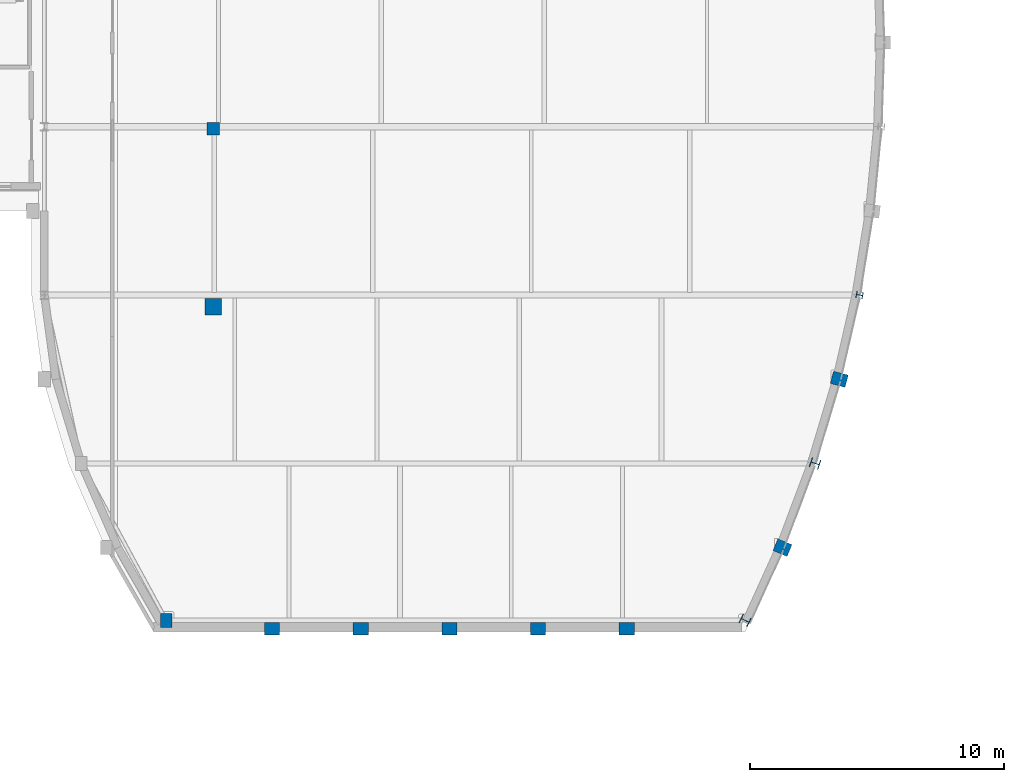
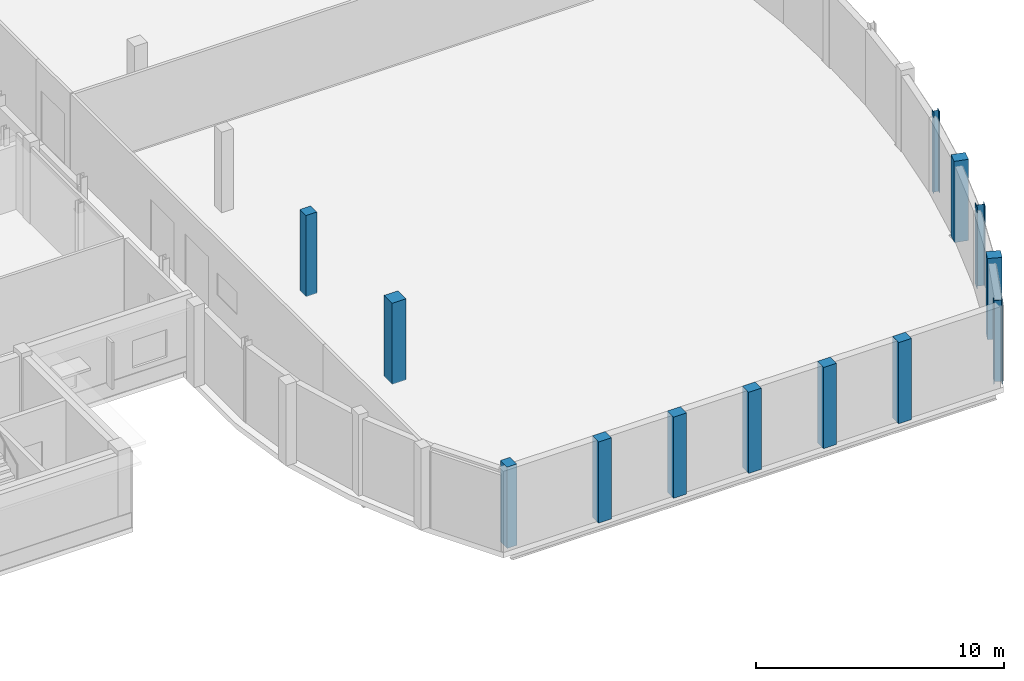
# One storey, part 13 of 105: 13 columns.
"""IFC4 building model written with IfcOpenShell, lengths in metres."""

from ifc_helpers import new_model, si_unit, direction, frame, origin, origin_2d, place, context, subcontext, project, spatial, rectangle, i_section, extrude, material, material_profile, profile_set, type_object, element, save


model = new_model("IFC4")

# Units and contexts
model_context = context("Model", 3, precision=1e-05, world=origin(), true_north=direction((0.0, 1.0)))
body_context = subcontext(model_context, "Body", "Model", "MODEL_VIEW")
ifc_project = project(units=[si_unit("LENGTHUNIT", "METRE"), si_unit("AREAUNIT", "SQUARE_METRE"), si_unit("VOLUMEUNIT", "CUBIC_METRE"), si_unit("PLANEANGLEUNIT", "RADIAN"), si_unit("MASSUNIT", "GRAM", prefix="KILO")], contexts=[model_context])

# Site, building, storey
site_placement = place(None, origin())
site = spatial("IfcSite", under=ifc_project, at=site_placement, CompositionType="ELEMENT")
building_placement = place(site_placement, origin())
building = spatial("IfcBuilding", under=site, at=building_placement, Name="Kelanivale Promenade Academy", CompositionType="ELEMENT")
storey_placement = place(building_placement, frame((0.0, 0.0, 4.199951171875)))
storey = spatial("IfcBuildingStorey", under=building, at=storey_placement, Name="L01", CompositionType="ELEMENT", Elevation=4.199951171875)

# Columns
ifc_material_1 = material(Name="Concrete C40/50", Category="concrete")
ifc_material_profile_1 = material_profile(ifc_material_1, rectangle(XDim=0.5, YDim=0.5, at=origin_2d()), Name="RC-COL 500x500")
ifc_profile_set_1 = profile_set([ifc_material_profile_1], Name="Concrete C40/50")
column_type_1 = type_object("IfcColumnType", Name="C-03 RC-COL 500x500", PredefinedType="COLUMN", material=ifc_profile_set_1)
column_1_placement = place(storey_placement, frame((130.0, 52.800048828125, 0.0), z_axis=(0.0, 0.0, 1.0), x_axis=(1.0, 0.0, 0.0)))
element("IfcColumn", 1, at=column_1_placement, inside=storey, type_object=column_type_1, Name="Column C-03 at (130.0, 52.8) L01", PredefinedType="COLUMN", context=body_context, shape_type="SweptSolid", body=[
    extrude(rectangle(XDim=0.5, YDim=0.5, at=origin_2d()), origin(), (0.0, 0.0, 1.0), 4.0),
])
ifc_material_profile_2 = material_profile(ifc_material_1, rectangle(XDim=0.64990234375, YDim=0.64990234375, at=origin_2d()), Name="RC-COL 650x650")
ifc_profile_set_2 = profile_set([ifc_material_profile_2], Name="Concrete C40/50")
column_type_2 = type_object("IfcColumnType", Name="C-06 RC-COL 650x650", PredefinedType="COLUMN", material=ifc_profile_set_2)
column_2_placement = place(storey_placement, frame((130.0, 45.800048828125, 0.0), z_axis=(0.0, 0.0, 1.0), x_axis=(1.0, 0.0, 0.0)))
element("IfcColumn", 2, at=column_2_placement, inside=storey, type_object=column_type_2, Name="Column C-06 at (130.0, 45.8) L01", PredefinedType="COLUMN", context=body_context, shape_type="SweptSolid", body=[
    extrude(rectangle(XDim=0.64990234375, YDim=0.64990234375, at=origin_2d()), origin(), (0.0, 0.0, 1.0), 4.0),
])
ifc_material_profile_3 = material_profile(ifc_material_1, rectangle(XDim=0.449951171875, YDim=0.550048828125, at=origin_2d()), Name="RC-PIL 450x550")
ifc_profile_set_3 = profile_set([ifc_material_profile_3], Name="Concrete C40/50")
column_type_3 = type_object("IfcColumnType", Name="PL-17 RC-PIL 450x550", PredefinedType="PILASTER", material=ifc_profile_set_3)
column_3_placement = place(storey_placement, frame((128.14990234375, 33.449951171875, 0.0), z_axis=(0.0, 0.0, 1.0), x_axis=(1.0, 0.0, 0.0)))
element("IfcColumn", 3, at=column_3_placement, inside=storey, type_object=column_type_3, Name="Column PL-17 at (128.2, 33.5) L01", PredefinedType="PILASTER", context=body_context, shape_type="SweptSolid", body=[
    extrude(rectangle(XDim=0.449951171875, YDim=0.550048828125, at=origin_2d()), origin(), (0.0, 0.0, 1.0), 4.0),
])
ifc_material_profile_4 = material_profile(ifc_material_1, rectangle(XDim=0.5, YDim=0.60009765625, at=origin_2d()), Name="RC-PIL 500x600")
ifc_profile_set_4 = profile_set([ifc_material_profile_4], Name="Concrete C40/50")
column_type_4 = type_object("IfcColumnType", Name="PL-18 RC-PIL 500x600", PredefinedType="PILASTER", material=ifc_profile_set_4)
for number, where, z_axis, x_axis, name in (
    (4, (132.30810546875, 33.1201171875, 0.0), (0.0, 0.0, 1.0), (0.0, 1.0, 0.0), "Column PL-18 at (132.3, 33.1) L01"),
    (5, (135.801025390625, 33.1201171875, 0.0), (0.0, 0.0, 1.0), (0.0, 1.0, 0.0), "Column PL-18 at (135.8, 33.1) L01"),
    (6, (139.2939453125, 33.1201171875, 0.0), (0.0, 0.0, 1.0), (0.0, 1.0, 0.0), "Column PL-18 at (139.3, 33.1) L01"),
    (7, (142.787109375, 33.1201171875, 0.0), (0.0, 0.0, 1.0), (0.0, 1.0, 0.0), "Column PL-18 at (142.8, 33.1) L01"),
    (8, (146.280029296875, 33.1201171875, 0.0), (0.0, 0.0, 1.0), (0.0, 1.0, 0.0), "Column PL-18 at (146.3, 33.1) L01"),
    (9, (152.406982421875, 36.31396484375, 0.0), (0.0, 0.0, 1.0), (0.382360914263, 0.92401305794, 0.0), "Column PL-18 at (152.4, 36.3) L01"),
    (10, (154.64208984375, 42.943115234375, 0.0), (0.0, 0.0, 1.0), (0.2549394954, 0.966957007154, 0.0), "Column PL-18 at (154.6, 42.9) L01"),
):
    element("IfcColumn", number, at=place(storey_placement, frame(where, z_axis=z_axis, x_axis=x_axis)), inside=storey, type_object=column_type_4, Name=name, PredefinedType="PILASTER", context=body_context, shape_type="SweptSolid", body=[
        extrude(rectangle(XDim=0.5, YDim=0.60009765625, at=origin_2d()), origin(), (0.0, 0.0, 1.0), 4.0),
    ])
ifc_material_2 = material(Name="Steel S355", Category="steel")
ifc_material_profile_5 = material_profile(ifc_material_2, i_section(OverallWidth=0.25634765625, OverallDepth=0.26025390625, WebThickness=0.01025390625, FlangeThickness=0.017333984375, FilletRadius=0.0126953125, at=origin_2d()), Name="UC 254x254x89")
ifc_profile_set_5 = profile_set([ifc_material_profile_5], Name="Steel S355")
column_type_5 = type_object("IfcColumnType", Name="SC-03 UC 254x254x89", PredefinedType="COLUMN", material=ifc_profile_set_5)
column_4_placement = place(storey_placement, frame((155.44091796875, 46.257080078125, 0.0), z_axis=(0.0, 0.0, 1.0), x_axis=(0.191151636272, 0.981560518741, 0.0)))
element("IfcColumn", 11, at=column_4_placement, inside=storey, type_object=column_type_5, Name="Column SC-03 at (155.4, 46.3) L01", PredefinedType="COLUMN", context=body_context, shape_type="SweptSolid", body=[
    extrude(i_section(OverallWidth=0.25634765625, OverallDepth=0.26025390625, WebThickness=0.01025390625, FlangeThickness=0.017333984375, FilletRadius=0.0126953125, at=origin_2d()), origin(), (0.0, 0.0, 1.0), 4.0),
])
ifc_material_profile_6 = material_profile(ifc_material_2, i_section(OverallWidth=0.37060546875, OverallDepth=0.362060546875, WebThickness=0.01220703125, FlangeThickness=0.020751953125, FilletRadius=0.01513671875, at=origin_2d()), Name="UC 356x368x153")
ifc_profile_set_6 = profile_set([ifc_material_profile_6], Name="Steel S355")
column_type_6 = type_object("IfcColumnType", Name="SC-05 UC 356x368x153", PredefinedType="COLUMN", material=ifc_profile_set_6)
for number, where, z_axis, x_axis, name in (
    (12, (150.93798828125, 33.449951171875, 0.0), (0.0, 0.0, 1.0), (0.44619781311, 0.894934361602, 0.0), "Column SC-05 at (150.9, 33.5) L01"),
    (13, (153.68896484375, 39.62890625, 0.0), (0.0, 0.0, 1.0), (0.318628456287, 0.947879690069, 0.0), "Column SC-05 at (153.7, 39.6) L01"),
):
    element("IfcColumn", number, at=place(storey_placement, frame(where, z_axis=z_axis, x_axis=x_axis)), inside=storey, type_object=column_type_6, Name=name, PredefinedType="COLUMN", context=body_context, shape_type="SweptSolid", body=[
        extrude(i_section(OverallWidth=0.37060546875, OverallDepth=0.362060546875, WebThickness=0.01220703125, FlangeThickness=0.020751953125, FilletRadius=0.01513671875, at=origin_2d()), origin(), (0.0, 0.0, 1.0), 4.0),
    ])

save(model, "model.ifc")
